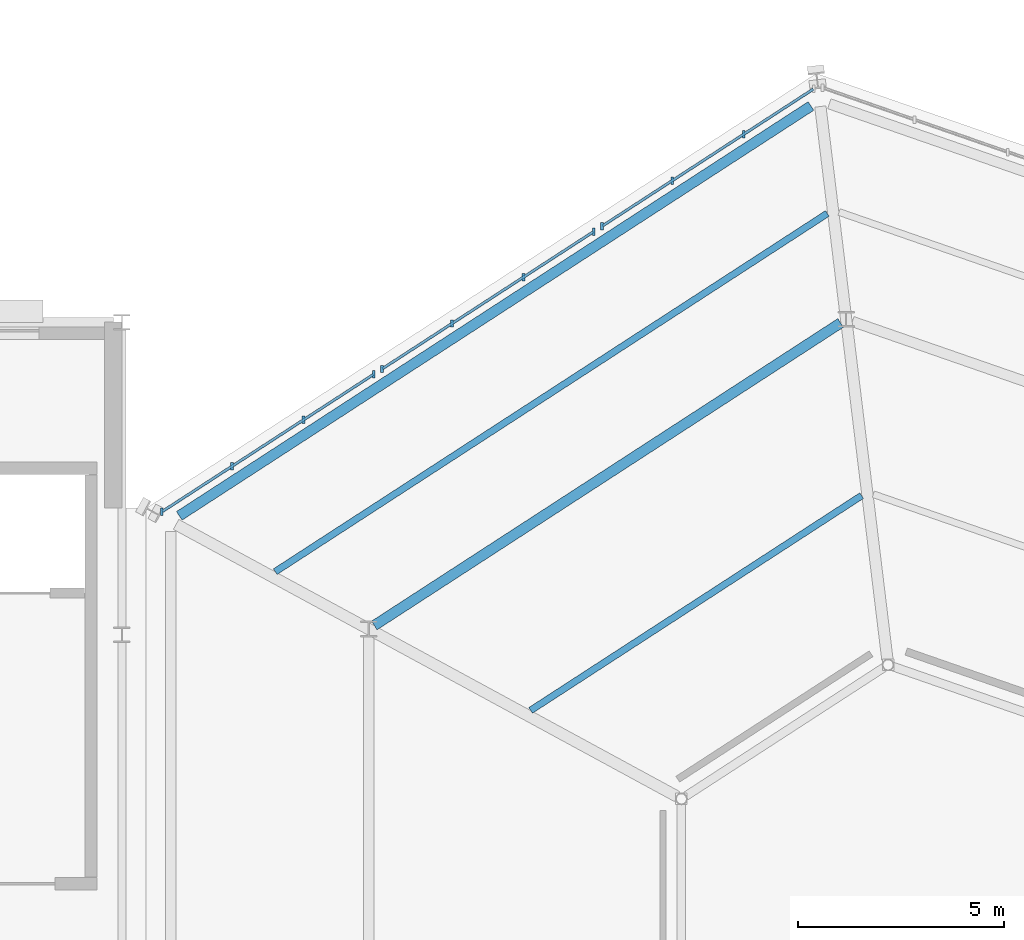
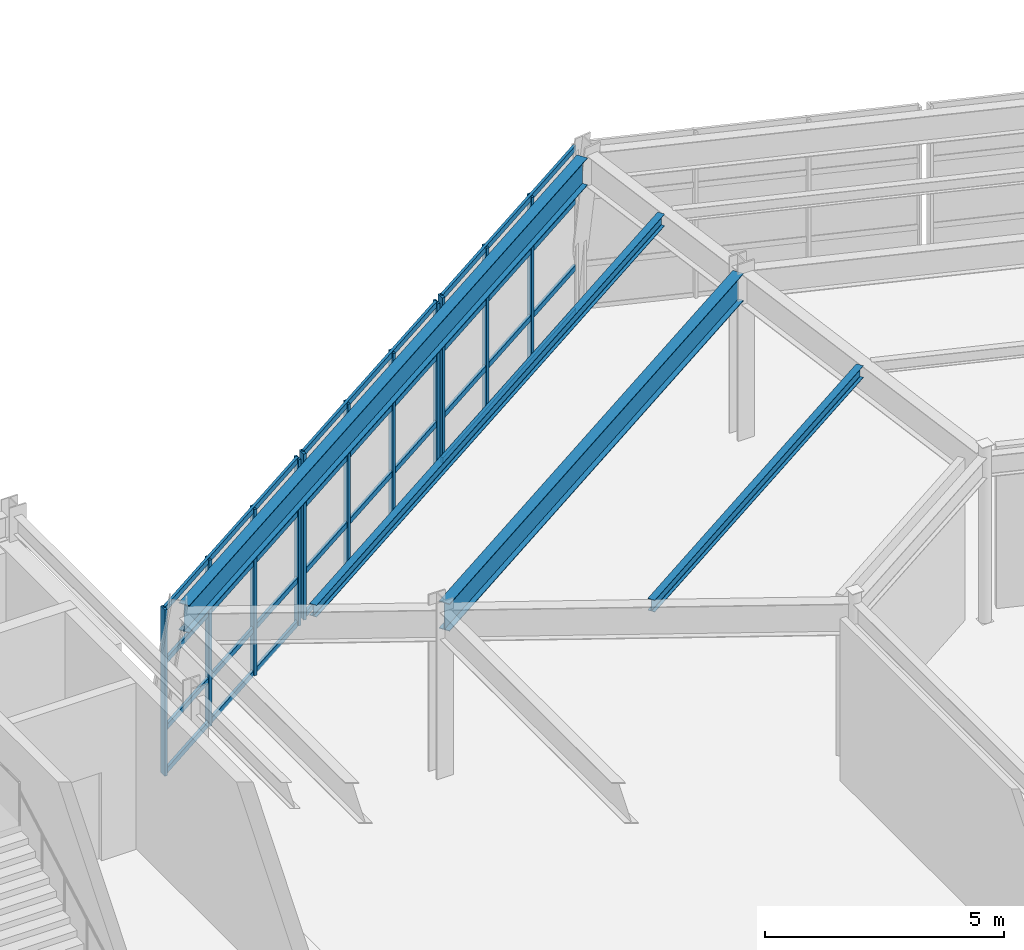
# One storey, part 42 of 88: 23 members, 4 beams, 3 elements without a shape of their own.
"""IFC4 building model written with IfcOpenShell, lengths in metres."""

from ifc_helpers import new_model, si_unit, direction, frame, origin, origin_2d, place, context, subcontext, project, spatial, rectangle, i_section, extrude, material, material_profile, profile_set, type_object, element, aggregate, save


model = new_model("IFC4")

# Units and contexts
model_context = context("Model", 3, precision=1e-05, world=origin(), true_north=direction((0.0, 1.0)))
body_context = subcontext(model_context, "Body", "Model", "MODEL_VIEW")
ifc_project = project(units=[si_unit("LENGTHUNIT", "METRE"), si_unit("AREAUNIT", "SQUARE_METRE"), si_unit("VOLUMEUNIT", "CUBIC_METRE"), si_unit("PLANEANGLEUNIT", "RADIAN"), si_unit("MASSUNIT", "GRAM", prefix="KILO")], contexts=[model_context])

# Site, building, storey
site_placement = place(None, origin())
site = spatial("IfcSite", under=ifc_project, at=site_placement, CompositionType="ELEMENT")
building_placement = place(site_placement, origin())
building = spatial("IfcBuilding", under=site, at=building_placement, Name="Sarnbrook Museum", CompositionType="ELEMENT")
storey_placement = place(building_placement, frame((0.0, 0.0, 10.10009765625)))
storey = spatial("IfcBuildingStorey", under=building, at=storey_placement, Name="L02", CompositionType="ELEMENT", Elevation=10.10009765625)

# Beams
ifc_material_1 = material(Name="Structural Steel Grade 350L0 (AS/NZS 3678, fy = 340 MPa for 20 < t <= 40 mm)", Category="steel")
ifc_material_profile_1 = material_profile(ifc_material_1, i_section(OverallWidth=0.25, OverallDepth=0.699951171875, WebThickness=0.010009765625, FlangeThickness=0.01611328125, at=origin_2d()), Name="700WB130")
ifc_profile_set_1 = profile_set([ifc_material_profile_1], Name="Structural Steel Grade 350L0 (AS/NZS 3678, fy = 340 MPa for 20 < t <= 40 mm)")
beam_type_1 = type_object("IfcBeamType", Name="BM-WB700", PredefinedType="BEAM", material=ifc_profile_set_1)
beam_1_placement = place(storey_placement, frame((135.94921875, 113.654541015625, 3.889892578125), z_axis=(-0.838903182281, -0.544280672777, 0.0), x_axis=(0.544280672777, -0.838903182281, 0.0)))
element("IfcBeam", 1, at=beam_1_placement, inside=storey, type_object=beam_type_1, Name="Crystal Hall Perimeter Ring Girder 6 L02", PredefinedType="BEAM", context=body_context, shape_type="SweptSolid", body=[
    extrude(i_section(OverallWidth=0.25, OverallDepth=0.699951171875, WebThickness=0.010009765625, FlangeThickness=0.01611328125, at=origin_2d()), origin(), (0.0, 0.0, 1.0), 18.303466796875),
])
beam_2_placement = place(storey_placement, frame((136.669921875, 108.38232421875, 3.889892578125), z_axis=(-0.838898634594, -0.544287682091, 0.0), x_axis=(0.544287682091, -0.838898634594, 0.0)))
element("IfcBeam", 2, at=beam_2_placement, inside=storey, type_object=beam_type_1, Name="Crystal Hall R1 Ring Girder 6 L02", PredefinedType="BEAM", context=body_context, shape_type="SweptSolid", body=[
    extrude(i_section(OverallWidth=0.25, OverallDepth=0.699951171875, WebThickness=0.010009765625, FlangeThickness=0.01611328125, at=origin_2d()), origin(), (0.0, 0.0, 1.0), 13.5126953125),
])

# Curtain wall, members
ifc_material_2 = material(Name="Thermally Broken Anodised Aluminium 6063-T6", Category="aluminium")
curtain_wall_type = type_object("IfcCurtainWallType", Name="CurtainWall_CrystalFacet", PredefinedType="NOTDEFINED", material=ifc_material_2)
curtain_wall_1_placement = place(storey_placement, origin())
curtain_wall_1 = element("IfcCurtainWall", 3, at=curtain_wall_1_placement, inside=storey, type_object=curtain_wall_type, Name="Crystal Hall Facet Curtain Wall L02-F6.1", PredefinedType="NOTDEFINED")
ifc_material_profile_2 = material_profile(ifc_material_2, rectangle(XDim=0.06494140625, YDim=0.179931640625, at=origin_2d()), Name="ALU MULLION 65x180")
ifc_profile_set_2 = profile_set([ifc_material_profile_2], Name="Thermally Broken Anodised Aluminium 6063-T6")
member_type_1 = type_object("IfcMemberType", Name="CW_Mullion_180x75", PredefinedType="MULLION", material=ifc_profile_set_2)
member_1_placement = place(storey_placement, frame((134.3115234375, 112.9658203125, 0.0), z_axis=(0.0, 0.0, 1.0), x_axis=(1.0, 0.0, 0.0)))
member_1 = element("IfcMember", 4, at=member_1_placement, type_object=member_type_1, Name="Crystal Hall Facet Curtain Wall L02-F6.1 Mullion 2", PredefinedType="MULLION", context=body_context, shape_type="SweptSolid", body=[
    extrude(rectangle(XDim=0.06494140625, YDim=0.179931640625, at=origin_2d()), origin(), (0.0, 0.0, 1.0), 4.239990234375),
])
member_2_placement = place(storey_placement, frame((132.573486328125, 111.837890625, 0.0), z_axis=(0.0, 0.0, 1.0), x_axis=(1.0, 0.0, 0.0)))
member_2 = element("IfcMember", 5, at=member_2_placement, type_object=member_type_1, Name="Crystal Hall Facet Curtain Wall L02-F6.1 Mullion 3", PredefinedType="MULLION", context=body_context, shape_type="SweptSolid", body=[
    extrude(rectangle(XDim=0.06494140625, YDim=0.179931640625, at=origin_2d()), origin(), (0.0, 0.0, 1.0), 4.239990234375),
])
member_3_placement = place(storey_placement, frame((130.868896484375, 110.732177734375, 0.0), z_axis=(0.0, 0.0, 1.0), x_axis=(1.0, 0.0, 0.0)))
member_3 = element("IfcMember", 6, at=member_3_placement, type_object=member_type_1, Name="Crystal Hall Facet Curtain Wall L02-F6.1 Mullion 4", PredefinedType="MULLION", context=body_context, shape_type="SweptSolid", body=[
    extrude(rectangle(XDim=0.06494140625, YDim=0.179931640625, at=origin_2d()), origin(), (0.0, 0.0, 1.0), 4.239990234375),
])

curtain_wall_2_placement = place(storey_placement, origin())
curtain_wall_2 = element("IfcCurtainWall", 7, at=curtain_wall_2_placement, inside=storey, type_object=curtain_wall_type, Name="Crystal Hall Facet Curtain Wall L02-F6.2", PredefinedType="NOTDEFINED")
member_4_placement = place(storey_placement, frame((130.667724609375, 110.6015625, 0.0), z_axis=(0.0, 0.0, 1.0), x_axis=(1.0, 0.0, 0.0)))
member_4 = element("IfcMember", 8, at=member_4_placement, type_object=member_type_1, Name="Crystal Hall Facet Curtain Wall L02-F6.2 Mullion 1", PredefinedType="MULLION", context=body_context, shape_type="SweptSolid", body=[
    extrude(rectangle(XDim=0.06494140625, YDim=0.179931640625, at=origin_2d()), origin(), (0.0, 0.0, 1.0), 4.239990234375),
])
member_5_placement = place(storey_placement, frame((128.963134765625, 109.49560546875, 0.0), z_axis=(0.0, 0.0, 1.0), x_axis=(1.0, 0.0, 0.0)))
member_5 = element("IfcMember", 9, at=member_5_placement, type_object=member_type_1, Name="Crystal Hall Facet Curtain Wall L02-F6.2 Mullion 2", PredefinedType="MULLION", context=body_context, shape_type="SweptSolid", body=[
    extrude(rectangle(XDim=0.06494140625, YDim=0.179931640625, at=origin_2d()), origin(), (0.0, 0.0, 1.0), 4.239990234375),
])
member_6_placement = place(storey_placement, frame((127.22509765625, 108.367919921875, 0.0), z_axis=(0.0, 0.0, 1.0), x_axis=(1.0, 0.0, 0.0)))
member_6 = element("IfcMember", 10, at=member_6_placement, type_object=member_type_1, Name="Crystal Hall Facet Curtain Wall L02-F6.2 Mullion 3", PredefinedType="MULLION", context=body_context, shape_type="SweptSolid", body=[
    extrude(rectangle(XDim=0.06494140625, YDim=0.179931640625, at=origin_2d()), origin(), (0.0, 0.0, 1.0), 4.239990234375),
])
member_7_placement = place(storey_placement, frame((125.5205078125, 107.261962890625, 0.0), z_axis=(0.0, 0.0, 1.0), x_axis=(1.0, 0.0, 0.0)))
member_7 = element("IfcMember", 11, at=member_7_placement, type_object=member_type_1, Name="Crystal Hall Facet Curtain Wall L02-F6.2 Mullion 4", PredefinedType="MULLION", context=body_context, shape_type="SweptSolid", body=[
    extrude(rectangle(XDim=0.06494140625, YDim=0.179931640625, at=origin_2d()), origin(), (0.0, 0.0, 1.0), 4.239990234375),
])

curtain_wall_3_placement = place(storey_placement, origin())
curtain_wall_3 = element("IfcCurtainWall", 12, at=curtain_wall_3_placement, inside=storey, type_object=curtain_wall_type, Name="Crystal Hall Facet Curtain Wall L02-F6.3", PredefinedType="NOTDEFINED")
member_8_placement = place(storey_placement, frame((125.3193359375, 107.13134765625, 0.0), z_axis=(0.0, 0.0, 1.0), x_axis=(1.0, 0.0, 0.0)))
member_8 = element("IfcMember", 13, at=member_8_placement, type_object=member_type_1, Name="Crystal Hall Facet Curtain Wall L02-F6.3 Mullion 1", PredefinedType="MULLION", context=body_context, shape_type="SweptSolid", body=[
    extrude(rectangle(XDim=0.06494140625, YDim=0.179931640625, at=origin_2d()), origin(), (0.0, 0.0, 1.0), 4.239990234375),
])
member_9_placement = place(storey_placement, frame((123.61474609375, 106.025390625, 0.0), z_axis=(0.0, 0.0, 1.0), x_axis=(1.0, 0.0, 0.0)))
member_9 = element("IfcMember", 14, at=member_9_placement, type_object=member_type_1, Name="Crystal Hall Facet Curtain Wall L02-F6.3 Mullion 2", PredefinedType="MULLION", context=body_context, shape_type="SweptSolid", body=[
    extrude(rectangle(XDim=0.06494140625, YDim=0.179931640625, at=origin_2d()), origin(), (0.0, 0.0, 1.0), 4.239990234375),
])
member_10_placement = place(storey_placement, frame((121.876708984375, 104.897705078125, 0.0), z_axis=(0.0, 0.0, 1.0), x_axis=(1.0, 0.0, 0.0)))
member_10 = element("IfcMember", 15, at=member_10_placement, type_object=member_type_1, Name="Crystal Hall Facet Curtain Wall L02-F6.3 Mullion 3", PredefinedType="MULLION", context=body_context, shape_type="SweptSolid", body=[
    extrude(rectangle(XDim=0.06494140625, YDim=0.179931640625, at=origin_2d()), origin(), (0.0, 0.0, 1.0), 4.239990234375),
])
member_11_placement = place(storey_placement, frame((120.172119140625, 103.7919921875, 0.0), z_axis=(0.0, 0.0, 1.0), x_axis=(1.0, 0.0, 0.0)))
member_11 = element("IfcMember", 16, at=member_11_placement, type_object=member_type_1, Name="Crystal Hall Facet Curtain Wall L02-F6.3 Mullion 4", PredefinedType="MULLION", context=body_context, shape_type="SweptSolid", body=[
    extrude(rectangle(XDim=0.06494140625, YDim=0.179931640625, at=origin_2d()), origin(), (0.0, 0.0, 1.0), 4.239990234375),
])

# Member
ifc_material_profile_3 = material_profile(ifc_material_2, rectangle(XDim=0.06494140625, YDim=0.139892578125, at=origin_2d()), Name="ALU TRANSOM 65x140")
ifc_profile_set_3 = profile_set([ifc_material_profile_3], Name="Thermally Broken Anodised Aluminium 6063-T6")
member_type_2 = type_object("IfcMemberType", Name="CW_Transom_150x65", PredefinedType="USERDEFINED", material=ifc_profile_set_3)
member_12_placement = place(storey_placement, frame((136.0078125, 114.066162109375, 0.039794921875), z_axis=(-0.838901184808, -0.544283751483, 0.0), x_axis=(0.544283751483, -0.838901184808, 0.0)))
member_12 = element("IfcMember", 17, at=member_12_placement, type_object=member_type_2, Name="Crystal Hall Facet Curtain Wall L02-F6.1 Transom 1", ObjectType="TRANSOM", PredefinedType="USERDEFINED", context=body_context, shape_type="SweptSolid", body=[
    extrude(rectangle(XDim=0.06494140625, YDim=0.139892578125, at=origin_2d()), origin(), (0.0, 0.0, 1.0), 6.115478515625),
])

member_13_placement = place(storey_placement, frame((136.0078125, 114.066162109375, 1.14990234375), z_axis=(-0.838901184808, -0.544283751483, 0.0), x_axis=(0.544283751483, -0.838901184808, 0.0)))
member_13 = element("IfcMember", 18, at=member_13_placement, type_object=member_type_2, Name="Crystal Hall Facet Curtain Wall L02-F6.1 Transom 2", ObjectType="TRANSOM", PredefinedType="USERDEFINED", context=body_context, shape_type="SweptSolid", body=[
    extrude(rectangle(XDim=0.06494140625, YDim=0.139892578125, at=origin_2d()), origin(), (0.0, 0.0, 1.0), 6.115478515625),
])

member_14_placement = place(storey_placement, frame((136.0078125, 114.066162109375, 2.849853515625), z_axis=(-0.838901184808, -0.544283751483, 0.0), x_axis=(0.544283751483, -0.838901184808, 0.0)))
member_14 = element("IfcMember", 19, at=member_14_placement, type_object=member_type_2, Name="Crystal Hall Facet Curtain Wall L02-F6.1 Transom 3", ObjectType="TRANSOM", PredefinedType="USERDEFINED", context=body_context, shape_type="SweptSolid", body=[
    extrude(rectangle(XDim=0.06494140625, YDim=0.139892578125, at=origin_2d()), origin(), (0.0, 0.0, 1.0), 6.115478515625),
])

member_15_placement = place(storey_placement, frame((136.0078125, 114.066162109375, 4.199951171875), z_axis=(-0.838901184808, -0.544283751483, 0.0), x_axis=(0.544283751483, -0.838901184808, 0.0)))
member_15 = element("IfcMember", 20, at=member_15_placement, type_object=member_type_2, Name="Crystal Hall Facet Curtain Wall L02-F6.1 Transom 4", ObjectType="TRANSOM", PredefinedType="USERDEFINED", context=body_context, shape_type="SweptSolid", body=[
    extrude(rectangle(XDim=0.06494140625, YDim=0.139892578125, at=origin_2d()), origin(), (0.0, 0.0, 1.0), 6.115478515625),
])

aggregate(curtain_wall_1, [member_1, member_2, member_3, member_12, member_13, member_14, member_15])

member_16_placement = place(storey_placement, frame((130.6591796875, 110.595947265625, 0.039794921875), z_axis=(-0.838907586664, -0.544273884214, 0.0), x_axis=(0.544273884214, -0.838907586664, 0.0)))
member_16 = element("IfcMember", 21, at=member_16_placement, type_object=member_type_2, Name="Crystal Hall Facet Curtain Wall L02-F6.2 Transom 1", ObjectType="TRANSOM", PredefinedType="USERDEFINED", context=body_context, shape_type="SweptSolid", body=[
    extrude(rectangle(XDim=0.06494140625, YDim=0.139892578125, at=origin_2d()), origin(), (0.0, 0.0, 1.0), 6.115234375),
])

member_17_placement = place(storey_placement, frame((130.6591796875, 110.595947265625, 1.14990234375), z_axis=(-0.838907586664, -0.544273884214, 0.0), x_axis=(0.544273884214, -0.838907586664, 0.0)))
member_17 = element("IfcMember", 22, at=member_17_placement, type_object=member_type_2, Name="Crystal Hall Facet Curtain Wall L02-F6.2 Transom 2", ObjectType="TRANSOM", PredefinedType="USERDEFINED", context=body_context, shape_type="SweptSolid", body=[
    extrude(rectangle(XDim=0.06494140625, YDim=0.139892578125, at=origin_2d()), origin(), (0.0, 0.0, 1.0), 6.115234375),
])

member_18_placement = place(storey_placement, frame((130.6591796875, 110.595947265625, 2.849853515625), z_axis=(-0.838907586664, -0.544273884214, 0.0), x_axis=(0.544273884214, -0.838907586664, 0.0)))
member_18 = element("IfcMember", 23, at=member_18_placement, type_object=member_type_2, Name="Crystal Hall Facet Curtain Wall L02-F6.2 Transom 3", ObjectType="TRANSOM", PredefinedType="USERDEFINED", context=body_context, shape_type="SweptSolid", body=[
    extrude(rectangle(XDim=0.06494140625, YDim=0.139892578125, at=origin_2d()), origin(), (0.0, 0.0, 1.0), 6.115234375),
])

member_19_placement = place(storey_placement, frame((130.6591796875, 110.595947265625, 4.199951171875), z_axis=(-0.838907586664, -0.544273884214, 0.0), x_axis=(0.544273884214, -0.838907586664, 0.0)))
member_19 = element("IfcMember", 24, at=member_19_placement, type_object=member_type_2, Name="Crystal Hall Facet Curtain Wall L02-F6.2 Transom 4", ObjectType="TRANSOM", PredefinedType="USERDEFINED", context=body_context, shape_type="SweptSolid", body=[
    extrude(rectangle(XDim=0.06494140625, YDim=0.139892578125, at=origin_2d()), origin(), (0.0, 0.0, 1.0), 6.115234375),
])

aggregate(curtain_wall_2, [member_4, member_5, member_6, member_7, member_16, member_17, member_18, member_19])

member_20_placement = place(storey_placement, frame((125.310791015625, 107.1259765625, 0.039794921875), z_axis=(-0.838889357806, -0.544301979933, 0.0), x_axis=(0.544301979933, -0.838889357806, 0.0)))
member_20 = element("IfcMember", 25, at=member_20_placement, type_object=member_type_2, Name="Crystal Hall Facet Curtain Wall L02-F6.3 Transom 1", ObjectType="TRANSOM", PredefinedType="USERDEFINED", context=body_context, shape_type="SweptSolid", body=[
    extrude(rectangle(XDim=0.06494140625, YDim=0.139892578125, at=origin_2d()), origin(), (0.0, 0.0, 1.0), 6.115478515625),
])

member_21_placement = place(storey_placement, frame((125.310791015625, 107.1259765625, 1.14990234375), z_axis=(-0.838889357806, -0.544301979933, 0.0), x_axis=(0.544301979933, -0.838889357806, 0.0)))
member_21 = element("IfcMember", 26, at=member_21_placement, type_object=member_type_2, Name="Crystal Hall Facet Curtain Wall L02-F6.3 Transom 2", ObjectType="TRANSOM", PredefinedType="USERDEFINED", context=body_context, shape_type="SweptSolid", body=[
    extrude(rectangle(XDim=0.06494140625, YDim=0.139892578125, at=origin_2d()), origin(), (0.0, 0.0, 1.0), 6.115478515625),
])

member_22_placement = place(storey_placement, frame((125.310791015625, 107.1259765625, 2.849853515625), z_axis=(-0.838889357806, -0.544301979933, 0.0), x_axis=(0.544301979933, -0.838889357806, 0.0)))
member_22 = element("IfcMember", 27, at=member_22_placement, type_object=member_type_2, Name="Crystal Hall Facet Curtain Wall L02-F6.3 Transom 3", ObjectType="TRANSOM", PredefinedType="USERDEFINED", context=body_context, shape_type="SweptSolid", body=[
    extrude(rectangle(XDim=0.06494140625, YDim=0.139892578125, at=origin_2d()), origin(), (0.0, 0.0, 1.0), 6.115478515625),
])

member_23_placement = place(storey_placement, frame((125.310791015625, 107.1259765625, 4.199951171875), z_axis=(-0.838889357806, -0.544301979933, 0.0), x_axis=(0.544301979933, -0.838889357806, 0.0)))
member_23 = element("IfcMember", 28, at=member_23_placement, type_object=member_type_2, Name="Crystal Hall Facet Curtain Wall L02-F6.3 Transom 4", ObjectType="TRANSOM", PredefinedType="USERDEFINED", context=body_context, shape_type="SweptSolid", body=[
    extrude(rectangle(XDim=0.06494140625, YDim=0.139892578125, at=origin_2d()), origin(), (0.0, 0.0, 1.0), 6.115478515625),
])

aggregate(curtain_wall_3, [member_8, member_9, member_10, member_11, member_20, member_21, member_22, member_23])

# Beams
ifc_material_3 = material(Name="Structural Steel Grade 300PLUS (AS/NZS 3679.1, fy = 280 MPa for 17 < t <= 40 mm, 300 MPa for t <= 17 mm)", Category="steel")
ifc_material_profile_4 = material_profile(ifc_material_3, i_section(OverallWidth=0.1650390625, OverallDepth=0.303955078125, WebThickness=0.006103515625, FlangeThickness=0.01025390625, FilletRadius=0.011474609375, at=origin_2d()), Name="310UB40.4")
ifc_profile_set_4 = profile_set([ifc_material_profile_4], Name="Structural Steel Grade 300PLUS (AS/NZS 3679.1, fy = 280 MPa for 17 < t <= 40 mm, 300 MPa for t <= 17 mm)")
beam_type_2 = type_object("IfcBeamType", Name="JS-UB310", PredefinedType="JOIST", material=ifc_profile_set_4)
beam_3_placement = place(storey_placement, frame((136.34716796875, 111.04296875, 4.087890625), z_axis=(-0.83889311236, -0.544296193295, 0.0), x_axis=(0.544296193295, -0.83889311236, 0.0)))
element("IfcBeam", 29, at=beam_3_placement, inside=storey, type_object=beam_type_2, Name="Crystal Hall Tangential Joist MO-6 L02", PredefinedType="JOIST", context=body_context, shape_type="SweptSolid", body=[
    extrude(i_section(OverallWidth=0.1650390625, OverallDepth=0.303955078125, WebThickness=0.006103515625, FlangeThickness=0.01025390625, FilletRadius=0.011474609375, at=origin_2d()), origin(), (0.0, 0.0, 1.0), 15.997802734375),
])
beam_4_placement = place(storey_placement, frame((137.178955078125, 104.18310546875, 4.087890625), z_axis=(-0.838887141633, -0.54430539553, 0.0), x_axis=(0.54430539553, -0.838887141633, 0.0)))
element("IfcBeam", 30, at=beam_4_placement, inside=storey, type_object=beam_type_2, Name="Crystal Hall Tangential Joist MI-6 L02", PredefinedType="JOIST", context=body_context, shape_type="SweptSolid", body=[
    extrude(i_section(OverallWidth=0.1650390625, OverallDepth=0.303955078125, WebThickness=0.006103515625, FlangeThickness=0.01025390625, FilletRadius=0.011474609375, at=origin_2d()), origin(), (0.0, 0.0, 1.0), 9.589599609375),
])

save(model, "model.ifc")
